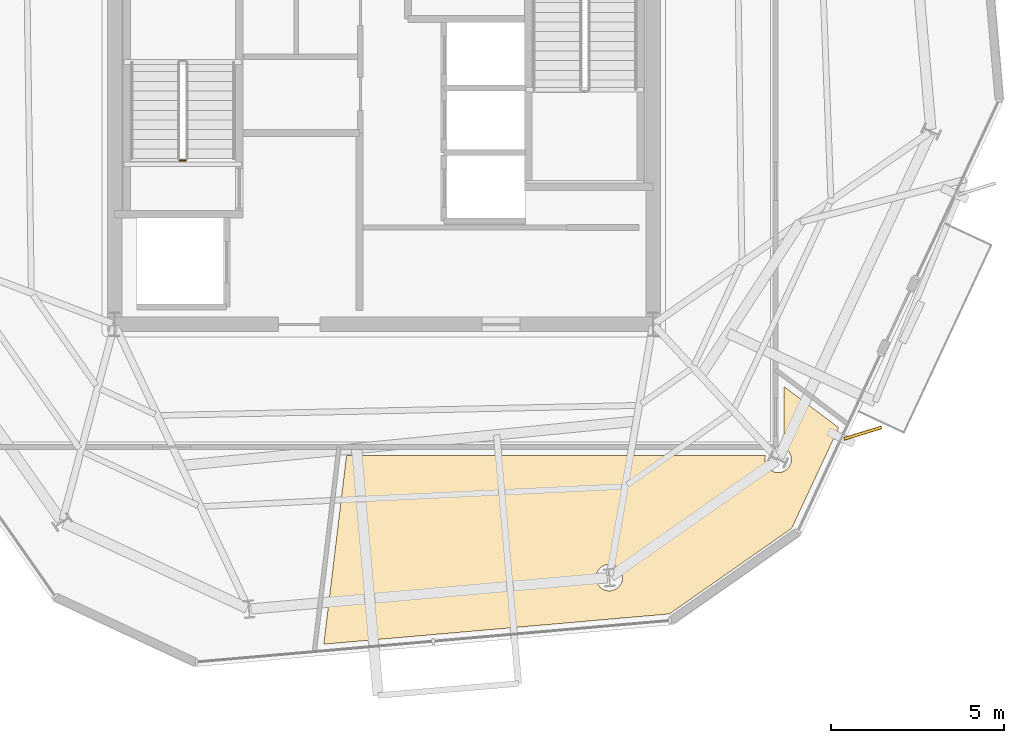
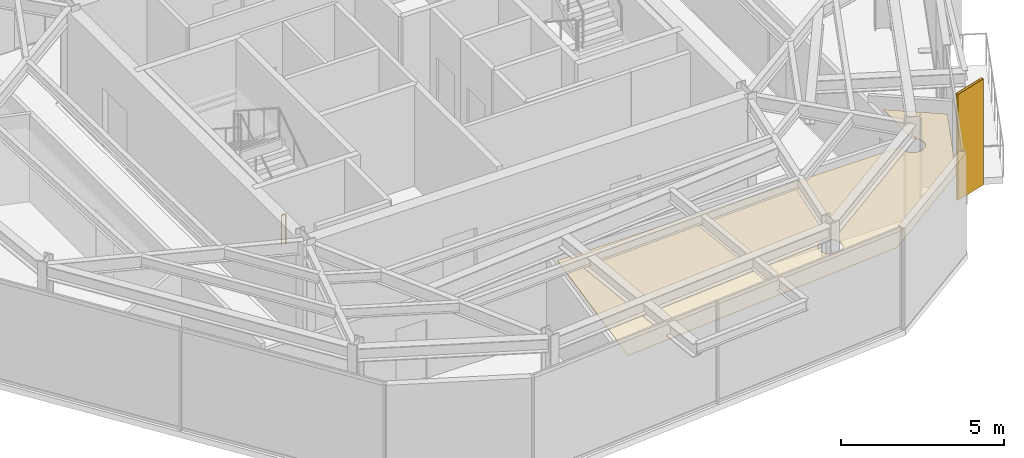
# One storey, part 8 of 11: 2 coverings, 1 railing, 1 shading device.
"""IFC4 building model written with IfcOpenShell, lengths in metres."""

import ifcopenshell
import ifcopenshell.guid

model = None  # the IFC model being written
_history = None  # IfcOwnerHistory: only IFC2X3 demands one
_inside = {}  # id of a spatial element -> (the spatial element, [elements in it])
_under = {}  # id of a project, library or spatial element -> (it, [spatial elements below it])
_declared = {}  # id of a project -> (the project, [libraries it declares])
_typed = {}  # id of a type object -> (the type object, [elements of that type])
_made_of = {}  # id of a material, layer set ... -> (it, [elements and type objects made of it])


def new_model(schema):
    """Start an empty IFC model of exactly this schema.

    Asked for "IFC4X3", IfcOpenShell would pick the latest addendum, in which some entities
    have other attributes; the version numbers below select the first issue.
    IFC2X3 requires an IfcOwnerHistory on every rooted entity: one is made here for all.
    """
    global model, _history
    if schema == "IFC4X3":
        model = ifcopenshell.file(schema_version=(4, 3, 0, 0))
    else:
        model = ifcopenshell.file(schema=schema)
    _inside.clear()
    _under.clear()
    _declared.clear()
    _typed.clear()
    _made_of.clear()
    _history = None
    if model.schema == "IFC2X3":
        org = make("IfcOrganization", Name="unknown")
        user = make(
            "IfcPersonAndOrganization",
            ThePerson=make("IfcPerson", FamilyName="unknown"),
            TheOrganization=org,
        )
        app = make(
            "IfcApplication",
            ApplicationDeveloper=org,
            Version="unknown",
            ApplicationFullName="unknown",
            ApplicationIdentifier="unknown",
        )
        _history = make(
            "IfcOwnerHistory",
            OwningUser=user,
            OwningApplication=app,
            ChangeAction="ADDED",
            CreationDate=0,
        )
    return model


def make(cls, **values):
    """One entity of the class cls with the attributes given. An attribute that is None is left unset."""
    return model.create_entity(
        cls, **{name: value for name, value in values.items() if value is not None}
    )


def rooted(cls, **values):
    """An entity with a GlobalId (a new one), such as an element, a storey or a relation."""
    return make(cls, GlobalId=ifcopenshell.guid.new(), OwnerHistory=_history, **values)


def si_unit(unit_type, name, prefix=None):
    """IfcSIUnit, for example si_unit("LENGTHUNIT", "METRE", prefix="MILLI")."""
    return make("IfcSIUnit", UnitType=unit_type, Prefix=prefix, Name=name)


def assignment(units):
    """IfcUnitAssignment: the units of a project."""
    return None if units is None else make("IfcUnitAssignment", Units=units)


def point(xyz):
    """IfcCartesianPoint."""
    return None if xyz is None else make("IfcCartesianPoint", Coordinates=xyz)


def direction(xyz):
    """IfcDirection."""
    return None if xyz is None else make("IfcDirection", DirectionRatios=xyz)


def frame(location, z_axis=None, x_axis=None):
    """IfcAxis2Placement3D, a coordinate frame: its origin and axes. An axis left out is left unset."""
    return make(
        "IfcAxis2Placement3D",
        Location=point(location),
        Axis=direction(z_axis),
        RefDirection=direction(x_axis),
    )


def frame_2d(location, x_axis=None):
    """IfcAxis2Placement2D, a coordinate frame in the plane: its origin and x axis."""
    return make(
        "IfcAxis2Placement2D", Location=point(location), RefDirection=direction(x_axis)
    )


def origin():
    """The frame at (0, 0, 0) with its axes left unset."""
    return frame((0.0, 0.0, 0.0))


def origin_2d():
    """The frame at (0, 0) in the plane with its x axis left unset."""
    return frame_2d((0.0, 0.0))


def place(relative_to, where):
    """IfcLocalPlacement: puts the frame where relative to a parent placement (None: the world)."""
    return make(
        "IfcLocalPlacement", PlacementRelTo=relative_to, RelativePlacement=where
    )


def context(
    kind, dimensions, precision=None, world=None, true_north=None, identifier=None
):
    """IfcGeometricRepresentationContext, for example the 3D "Model" context."""
    return make(
        "IfcGeometricRepresentationContext",
        ContextIdentifier=identifier,
        ContextType=kind,
        CoordinateSpaceDimension=dimensions,
        Precision=precision,
        WorldCoordinateSystem=world,
        TrueNorth=true_north,
    )


def subcontext(parent, identifier, kind, view, scale=None):
    """IfcGeometricRepresentationSubContext, for example "Body" below "Model"."""
    return make(
        "IfcGeometricRepresentationSubContext",
        ContextIdentifier=identifier,
        ContextType=kind,
        ParentContext=parent,
        TargetScale=scale,
        TargetView=view,
    )


def project(units=None, contexts=None):
    """IfcProject with its units and contexts."""
    return rooted(
        "IfcProject",
        Name="project",
        RepresentationContexts=contexts,
        UnitsInContext=assignment(units),
    )


def spatial(cls, under=None, at=None, **own):
    """A site, building, storey or space (cls), placed at a placement, below another one or the project."""
    s = rooted(cls, ObjectPlacement=at, **own)
    if under is not None:
        _under.setdefault(under.id(), (under, []))[1].append(s)
    return s


def polyline(points):
    """IfcPolyline through the points."""
    return make("IfcPolyline", Points=[point(p) for p in points])


def profile(cls, at=None, kind="AREA", **sizes):
    """A parametric profile (cls). Its sizes go by their IFC names, for example OverallWidth=200.0."""
    return make(cls, ProfileType=kind, Position=at, **sizes)


def rectangle(**sizes):
    """IfcRectangleProfileDef."""
    return profile("IfcRectangleProfileDef", **sizes)


def circle(**sizes):
    """IfcCircleProfileDef."""
    return profile("IfcCircleProfileDef", **sizes)


def outline(outer, holes=None, kind="AREA"):
    """IfcArbitraryClosedProfileDef: a profile drawn as a closed curve; with holes, ...WithVoids."""
    if holes is None:
        return make("IfcArbitraryClosedProfileDef", ProfileType=kind, OuterCurve=outer)
    return make(
        "IfcArbitraryProfileDefWithVoids",
        ProfileType=kind,
        OuterCurve=outer,
        InnerCurves=holes,
    )


def extrude(swept, where, along, depth):
    """IfcExtrudedAreaSolid: the profile swept, set in the frame where, extruded along a direction by depth."""
    return make(
        "IfcExtrudedAreaSolid",
        SweptArea=swept,
        Position=where,
        ExtrudedDirection=direction(along),
        Depth=depth,
    )


def shape(context_of_items, identifier, shape_type, items):
    """IfcShapeRepresentation: the items that make up one representation, for example the "Body"."""
    return make(
        "IfcShapeRepresentation",
        ContextOfItems=context_of_items,
        RepresentationIdentifier=identifier,
        RepresentationType=shape_type,
        Items=items,
    )


def material(Name=None, Category=None):
    """IfcMaterial."""
    return make("IfcMaterial", Name=Name, Category=Category)


def layer(
    of_material, thickness, ventilated=None, Name=None, Category=None, Priority=None
):
    """IfcMaterialLayer: one layer of a wall or slab, of a material (None: an air gap)."""
    return make(
        "IfcMaterialLayer",
        Material=of_material,
        LayerThickness=thickness,
        IsVentilated=ventilated,
        Name=Name,
        Category=Category,
        Priority=Priority,
    )


def layer_set(layers, Name=None):
    """IfcMaterialLayerSet."""
    return make("IfcMaterialLayerSet", MaterialLayers=layers, LayerSetName=Name)


def made_of(thing, what):
    """Note that an element or type object is made of a material, layer set ...; save() writes the relation."""
    if what is not None:
        _made_of.setdefault(what.id(), (what, []))[1].append(thing)
    return thing


def type_object(cls, material=None, **own):
    """A type object (cls), such as IfcWallType, which elements share."""
    return made_of(rooted(cls, **own), material)


def element(
    cls,
    number,
    at=None,
    inside=None,
    cuts=None,
    type_object=None,
    material=None,
    context=None,
    identifier="Body",
    shape_type=None,
    held_by="IfcProductDefinitionShape",
    body=None,
    shapes=None,
    **own,
):
    """One element of the class cls, such as IfcWall. Its Tag is "e" and its number.

    at: its placement. inside: the storey or other place that contains it. cuts: it is an
    opening in that element (IfcRelVoidsElement). A single representation is given by context,
    identifier, shape_type and body (its items); several are given by shapes. held_by: the class
    of the entity that holds the representations. save() writes the other relations.
    """
    e = rooted(cls, Tag="e%d" % number, ObjectPlacement=at, **own)
    if body is not None:
        shapes = [shape(context, identifier, shape_type, body)]
    if shapes is not None:
        e.Representation = make(held_by, Representations=shapes)
    if inside is not None:
        _inside.setdefault(inside.id(), (inside, []))[1].append(e)
    if cuts is not None:
        rooted(
            "IfcRelVoidsElement", RelatingBuildingElement=cuts, RelatedOpeningElement=e
        )
    if type_object is not None:
        _typed.setdefault(type_object.id(), (type_object, []))[1].append(e)
    return made_of(e, material)


def aggregate(whole, parts):
    """IfcRelAggregates: a whole, such as a stair, and the parts it consists of."""
    return rooted("IfcRelAggregates", RelatingObject=whole, RelatedObjects=parts)


def save(model, path):
    """Write the relations noted so far, then the file.

    IfcRelAggregates (storeys below a building ...), IfcRelContainedInSpatialStructure (elements
    in a storey), IfcRelDefinesByType, IfcRelAssociatesMaterial and IfcRelDeclares: one each for
    every whole, place, type object, material and project.
    """
    for whole, parts in _under.values():
        aggregate(whole, parts)
    for where, things in _inside.values():
        rooted(
            "IfcRelContainedInSpatialStructure",
            RelatedElements=things,
            RelatingStructure=where,
        )
    for kind, things in _typed.values():
        rooted("IfcRelDefinesByType", RelatedObjects=things, RelatingType=kind)
    for what, things in _made_of.values():
        rooted("IfcRelAssociatesMaterial", RelatedObjects=things, RelatingMaterial=what)
    for by, libraries in _declared.values():
        rooted("IfcRelDeclares", RelatingContext=by, RelatedDefinitions=libraries)
    model.write(path)


model = new_model("IFC4")

# Units and contexts
model_context = context("Model", 3, precision=1e-05, world=origin(), true_north=direction((0.0, 1.0)))
body_context = subcontext(model_context, "Body", "Model", "MODEL_VIEW")
ifc_project = project(units=[si_unit("LENGTHUNIT", "METRE"), si_unit("AREAUNIT", "SQUARE_METRE"), si_unit("VOLUMEUNIT", "CUBIC_METRE"), si_unit("PLANEANGLEUNIT", "RADIAN"), si_unit("MASSUNIT", "GRAM", prefix="KILO")], contexts=[model_context])

# Site, building, storey
site_placement = place(None, origin())
site = spatial("IfcSite", under=ifc_project, at=site_placement, CompositionType="ELEMENT")
building_placement = place(site_placement, origin())
building = spatial("IfcBuilding", under=site, at=building_placement, Name="Kranzbogen Civic Tower", CompositionType="ELEMENT")
storey_placement = place(building_placement, frame((0.0, 0.0, 286.199951171875)))
storey = spatial("IfcBuildingStorey", under=building, at=storey_placement, Name="L69", CompositionType="ELEMENT", Elevation=286.199951171875)

# Covering
ifc_material_1 = material(Name="Pale Anodised Aluminium", Category="aluminium")
ifc_layer_1 = layer(ifc_material_1, 0.02490234375, Name="Pale Anodised Aluminium")
ifc_layer_set_1 = layer_set([ifc_layer_1], Name="Pale Anodised Aluminium")
covering_type_1 = type_object("IfcCoveringType", Name="Anodised Aluminium Vertical Fin Cladding 25 mm", PredefinedType="CLADDING", material=ifc_layer_set_1)
covering_1_placement = place(storey_placement, frame((38.8779296875, 14.64990234375, -0.139892578125), z_axis=(0.0, 0.0, 1.0), x_axis=(0.955885343123, 0.293740039496, 0.0)))
element("IfcCovering", 1, at=covering_1_placement, inside=storey, type_object=covering_type_1, Name="L69 vertical fin pale-metal cladding F5-1", PredefinedType="CLADDING", context=body_context, shape_type="SweptSolid", body=[
    extrude(rectangle(XDim=1.14990234375, YDim=0.094970703125, at=origin_2d()), origin(), (0.0, 0.0, 1.0), 3.9599609375),
])

# Railing
ifc_material_2 = material(Name="Steel S355", Category="steel")
railing_type = type_object("IfcRailingType", Name="Internal Stair and Void Steel Guardrail 1150", PredefinedType="GUARDRAIL", material=ifc_material_2)
railing_placement = place(storey_placement, frame((19.25, 22.550048828125, 0.0)))
element("IfcRailing", 2, at=railing_placement, inside=storey, type_object=railing_type, Name="L69 ST-T1 stair guard 4", PredefinedType="GUARDRAIL", context=body_context, shape_type="SweptSolid", body=[
    extrude(circle(Radius=0.02392578125, at=origin_2d()), frame((0.0, 0.0, 1.1259765625), z_axis=(-1.0, 0.0, 0.0), x_axis=(0.0, -1.0, 0.0)), (0.0, 0.0, 1.0), 0.14990234375),
    extrude(circle(Radius=0.02099609375, at=origin_2d()), origin(), (0.0, 0.0, 1.0), 1.101806640625),
    extrude(circle(Radius=0.02099609375, at=origin_2d()), frame((-0.14990234375, 0.0, 0.0)), (0.0, 0.0, 1.0), 1.101806640625),
])

# Shading device
shading_device_type = type_object("IfcShadingDeviceType", Name="Pale Anodised Aluminium Crown Fin 1150x75", PredefinedType="USERDEFINED", material=ifc_material_1)
shading_device_placement = place(storey_placement, frame((38.8779296875, 14.64990234375, -0.139892578125), z_axis=(0.0, 0.0, 1.0), x_axis=(0.955885343123, 0.293740039496, 0.0)))
element("IfcShadingDevice", 3, at=shading_device_placement, inside=storey, type_object=shading_device_type, Name="L69 vertical exterior shading fin F5-1", ObjectType="FIN", PredefinedType="USERDEFINED", context=body_context, shape_type="SweptSolid", body=[
    extrude(rectangle(XDim=1.14990234375, YDim=0.074951171875, at=origin_2d()), origin(), (0.0, 0.0, 1.0), 3.9599609375),
])

# Covering
ifc_material_3 = material(Name="Perforated Acoustic Gypsum Ceiling")
ifc_layer_2 = layer(ifc_material_3, 0.02490234375, Name="Perforated Acoustic Gypsum Ceiling")
ifc_layer_set_2 = layer_set([ifc_layer_2], Name="Perforated Acoustic Gypsum Ceiling")
covering_type_2 = type_object("IfcCoveringType", Name="Perforated Acoustic Mineral Ceiling Tile 25 mm", PredefinedType="CEILING", material=ifc_layer_set_2)
covering_2_placement = place(storey_placement, frame((0.0, 0.0, 2.900146484375)))
element("IfcCovering", 4, at=covering_2_placement, inside=storey, type_object=covering_type_2, Name="L69 Licensing Information Kiosk acoustic ceiling", PredefinedType="CEILING", context=body_context, shape_type="SweptSolid", body=[
    extrude(outline(polyline([(33.27490234375, 9.412109375), (23.261962890625, 8.535888671875), (23.9208984375, 14.0048828125), (36.05908203125, 14.0048828125), (36.05810546875, 14.0009765625), (36.049072265625, 13.965087890625), (36.04296875, 13.927978515625), (36.0419921875, 13.889892578125), (36.04296875, 13.85205078125), (36.049072265625, 13.81494140625), (36.05810546875, 13.779052734375), (36.071044921875, 13.742919921875), (36.0869140625, 13.708984375), (36.10595703125, 13.677001953125), (36.12890625, 13.64697265625), (36.154052734375, 13.618896484375), (36.181884765625, 13.593994140625), (36.2119140625, 13.571044921875), (36.243896484375, 13.552001953125), (36.278076171875, 13.535888671875), (36.31396484375, 13.52294921875), (36.35009765625, 13.513916015625), (36.386962890625, 13.508056640625), (36.425048828125, 13.507080078125), (36.462890625, 13.508056640625), (36.5, 13.513916015625), (36.535888671875, 13.52294921875), (36.572021484375, 13.535888671875), (36.60595703125, 13.552001953125), (36.637939453125, 13.571044921875), (36.66796875, 13.593994140625), (36.696044921875, 13.618896484375), (36.720947265625, 13.64697265625), (36.743896484375, 13.677001953125), (36.762939453125, 13.708984375), (36.779052734375, 13.742919921875), (36.7919921875, 13.779052734375), (36.801025390625, 13.81494140625), (36.806884765625, 13.85205078125), (36.80810546875, 13.889892578125), (36.806884765625, 13.927978515625), (36.801025390625, 13.965087890625), (36.7919921875, 14.0009765625), (36.779052734375, 14.037109375), (36.762939453125, 14.071044921875), (36.743896484375, 14.10302734375), (36.720947265625, 14.133056640625), (36.696044921875, 14.160888671875), (36.66796875, 14.18603515625), (36.637939453125, 14.208984375), (36.60595703125, 14.22802734375), (36.593994140625, 14.23388671875), (36.593994140625, 14.235107421875), (36.594970703125, 14.240966796875), (36.594970703125, 14.25), (36.594970703125, 15.99609375), (38.177978515625, 14.80810546875), (36.818115234375, 11.89306640625), (33.27490234375, 9.412109375)]), holes=[polyline([(31.886962890625, 10.31689453125), (31.87109375, 10.282958984375), (31.85205078125, 10.2509765625), (31.8291015625, 10.220947265625), (31.803955078125, 10.193115234375), (31.77587890625, 10.16796875), (31.74609375, 10.14501953125), (31.714111328125, 10.1259765625), (31.679931640625, 10.110107421875), (31.64404296875, 10.096923828125), (31.60791015625, 10.087890625), (31.571044921875, 10.08203125), (31.532958984375, 10.0810546875), (31.4951171875, 10.08203125), (31.4580078125, 10.087890625), (31.422119140625, 10.096923828125), (31.385986328125, 10.110107421875), (31.35205078125, 10.1259765625), (31.320068359375, 10.14501953125), (31.2900390625, 10.16796875), (31.261962890625, 10.193115234375), (31.237060546875, 10.220947265625), (31.214111328125, 10.2509765625), (31.195068359375, 10.282958984375), (31.178955078125, 10.31689453125), (31.166015625, 10.35302734375), (31.156982421875, 10.388916015625), (31.15087890625, 10.426025390625), (31.14990234375, 10.464111328125), (31.15087890625, 10.501953125), (31.156982421875, 10.5390625), (31.166015625, 10.574951171875), (31.178955078125, 10.611083984375), (31.195068359375, 10.64501953125), (31.214111328125, 10.677001953125), (31.237060546875, 10.70703125), (31.261962890625, 10.735107421875), (31.2900390625, 10.760009765625), (31.320068359375, 10.782958984375), (31.35205078125, 10.802001953125), (31.385986328125, 10.818115234375), (31.422119140625, 10.8310546875), (31.4580078125, 10.840087890625), (31.4951171875, 10.845947265625), (31.532958984375, 10.846923828125), (31.571044921875, 10.845947265625), (31.60791015625, 10.840087890625), (31.64404296875, 10.8310546875), (31.679931640625, 10.818115234375), (31.714111328125, 10.802001953125), (31.74609375, 10.782958984375), (31.77587890625, 10.760009765625), (31.803955078125, 10.735107421875), (31.8291015625, 10.70703125), (31.85205078125, 10.677001953125), (31.87109375, 10.64501953125), (31.886962890625, 10.611083984375), (31.89990234375, 10.574951171875), (31.908935546875, 10.5390625), (31.9150390625, 10.501953125), (31.916015625, 10.464111328125), (31.9150390625, 10.426025390625), (31.908935546875, 10.388916015625), (31.89990234375, 10.35302734375), (31.886962890625, 10.31689453125)])]), origin(), (0.0, 0.0, 1.0), 0.02490234375),
])

save(model, "model.ifc")
